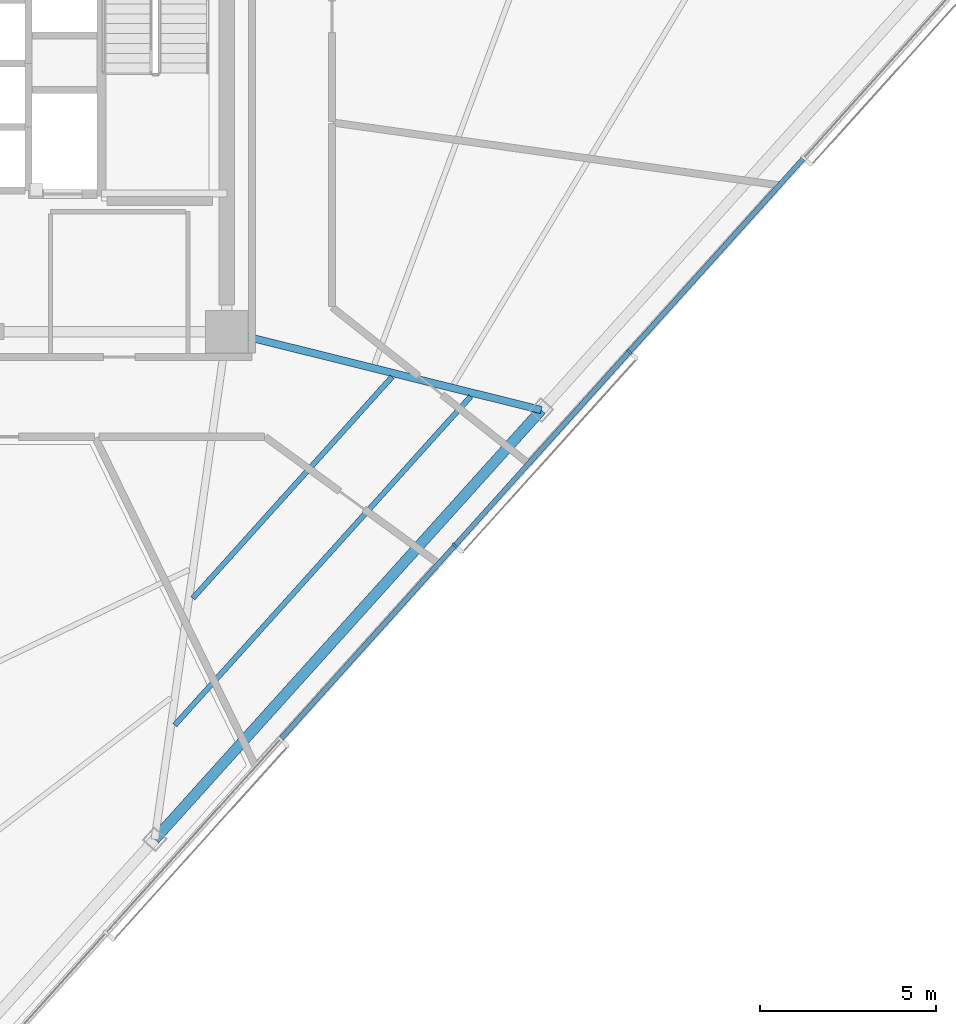
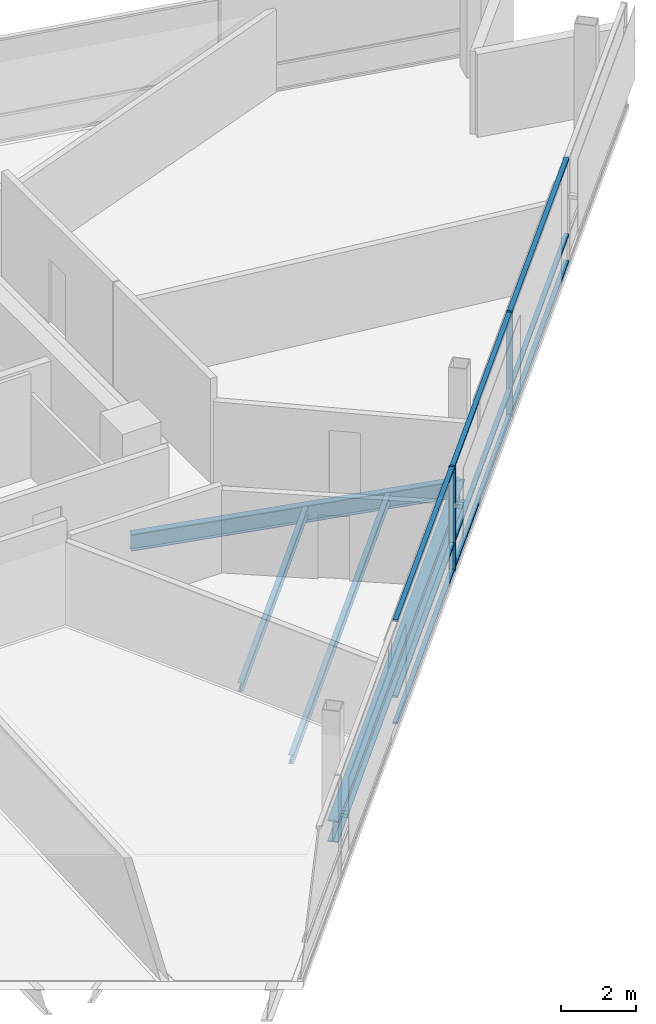
# One storey, part 4 of 17: 11 members, 4 beams, 1 element without a shape of its own.
"""IFC4 building model written with IfcOpenShell, lengths in metres."""

from ifc_helpers import new_model, si_unit, direction, frame, origin, origin_2d, place, context, subcontext, project, spatial, rectangle, i_section, extrude, material, layer, layer_set, material_profile, profile_set, type_object, element, aggregate, save


model = new_model("IFC4")

# Units and contexts
model_context = context("Model", 3, precision=1e-05, world=origin(), true_north=direction((0.0, 1.0)))
body_context = subcontext(model_context, "Body", "Model", "MODEL_VIEW")
ifc_project = project(units=[si_unit("LENGTHUNIT", "METRE"), si_unit("AREAUNIT", "SQUARE_METRE"), si_unit("VOLUMEUNIT", "CUBIC_METRE"), si_unit("PLANEANGLEUNIT", "RADIAN"), si_unit("MASSUNIT", "GRAM", prefix="KILO")], contexts=[model_context])

# Site, building, storey
site_placement = place(None, origin())
site = spatial("IfcSite", under=ifc_project, at=site_placement, CompositionType="ELEMENT")
building_placement = place(site_placement, origin())
building = spatial("IfcBuilding", under=site, at=building_placement, Name="Tharavind Bronze Gate", CompositionType="ELEMENT")
storey_placement = place(building_placement, frame((0.0, 0.0, 214.85009765625)))
storey = spatial("IfcBuildingStorey", under=building, at=storey_placement, Name="L55", CompositionType="ELEMENT", Elevation=214.85009765625)

# Curtain wall, members
ifc_material_1 = material(Name="Anodised Bronze Aluminium", Category="aluminium")
ifc_layer = layer(ifc_material_1, 0.219970703125)
ifc_layer_set = layer_set([ifc_layer], Name="Anodised Bronze Aluminium")
curtain_wall_type = type_object("IfcCurtainWallType", Name="UNITISED CURTAIN WALL MID OFFICE", PredefinedType="USERDEFINED", material=ifc_layer_set)
curtain_wall_placement = place(storey_placement, origin())
curtain_wall = element("IfcCurtainWall", 1, at=curtain_wall_placement, inside=storey, type_object=curtain_wall_type, Name="L55 unitised curtain wall mid office CW-L55-S2", ObjectType="UNITISED CURTAIN WALL", PredefinedType="USERDEFINED")
member_type_1 = type_object("IfcMemberType", Name="CURTAIN WALL BRONZE MULLION 65X180", PredefinedType="MULLION", material=ifc_material_1)
member_1_placement = place(storey_placement, frame((15.365966796875, -13.663818359375, 0.0), z_axis=(0.0, 0.0, 1.0), x_axis=(0.669130606359, 0.743144825477, 0.0)))
member_1 = element("IfcMember", 2, at=member_1_placement, type_object=member_type_1, Name="CW-L55-S2 mullion 5", PredefinedType="MULLION", context=body_context, shape_type="SweptSolid", body=[
    extrude(rectangle(XDim=0.06494140625, YDim=0.179931640625, at=origin_2d()), origin(), (0.0, 0.0, 1.0), 3.419921875),
])
member_2_placement = place(storey_placement, frame((20.310302734375, -8.17236328125, 0.0), z_axis=(0.0, 0.0, 1.0), x_axis=(0.669130606359, 0.743144825477, 0.0)))
member_2 = element("IfcMember", 3, at=member_2_placement, type_object=member_type_1, Name="CW-L55-S2 mullion 6", PredefinedType="MULLION", context=body_context, shape_type="SweptSolid", body=[
    extrude(rectangle(XDim=0.06494140625, YDim=0.179931640625, at=origin_2d()), origin(), (0.0, 0.0, 1.0), 3.419921875),
])
member_type_2 = type_object("IfcMemberType", Name="CURTAIN WALL BRONZE TRANSOM 65X140", PredefinedType="USERDEFINED", material=ifc_material_1)
member_3_placement = place(storey_placement, frame((12.8935546875, -16.409423828125, 0.0), z_axis=(0.0, 0.0, 1.0), x_axis=(0.669130606359, 0.743144825477, 0.0)))
member_3 = element("IfcMember", 4, at=member_3_placement, type_object=member_type_2, Name="CW-L55-S2 transom TB4", ObjectType="TRANSOM", PredefinedType="USERDEFINED", context=body_context, shape_type="SweptSolid", body=[
    extrude(rectangle(XDim=7.33642578125, YDim=0.139892578125, at=origin_2d()), origin(), (0.0, 0.0, 1.0), 0.06494140625),
])
member_4_placement = place(storey_placement, frame((12.8935546875, -16.409423828125, 0.867431640625), z_axis=(0.0, 0.0, 1.0), x_axis=(0.669130606359, 0.743144825477, 0.0)))
member_4 = element("IfcMember", 5, at=member_4_placement, type_object=member_type_2, Name="CW-L55-S2 transom TS4", ObjectType="TRANSOM", PredefinedType="USERDEFINED", context=body_context, shape_type="SweptSolid", body=[
    extrude(rectangle(XDim=7.33642578125, YDim=0.139892578125, at=origin_2d()), origin(), (0.0, 0.0, 1.0), 0.06494140625),
])
member_5_placement = place(storey_placement, frame((12.8935546875, -16.409423828125, 3.35498046875), z_axis=(0.0, 0.0, 1.0), x_axis=(0.669130606359, 0.743144825477, 0.0)))
member_5 = element("IfcMember", 6, at=member_5_placement, type_object=member_type_2, Name="CW-L55-S2 transom TT4", ObjectType="TRANSOM", PredefinedType="USERDEFINED", context=body_context, shape_type="SweptSolid", body=[
    extrude(rectangle(XDim=7.33642578125, YDim=0.139892578125, at=origin_2d()), origin(), (0.0, 0.0, 1.0), 0.06494140625),
])
member_6_placement = place(storey_placement, frame((17.838134765625, -10.91796875, 0.0), z_axis=(0.0, 0.0, 1.0), x_axis=(0.669130606359, 0.743144825477, 0.0)))
member_6 = element("IfcMember", 7, at=member_6_placement, type_object=member_type_2, Name="CW-L55-S2 transom TB5", ObjectType="TRANSOM", PredefinedType="USERDEFINED", context=body_context, shape_type="SweptSolid", body=[
    extrude(rectangle(XDim=7.33642578125, YDim=0.139892578125, at=origin_2d()), origin(), (0.0, 0.0, 1.0), 0.06494140625),
])
member_7_placement = place(storey_placement, frame((17.838134765625, -10.91796875, 0.867431640625), z_axis=(0.0, 0.0, 1.0), x_axis=(0.669130606359, 0.743144825477, 0.0)))
member_7 = element("IfcMember", 8, at=member_7_placement, type_object=member_type_2, Name="CW-L55-S2 transom TS5", ObjectType="TRANSOM", PredefinedType="USERDEFINED", context=body_context, shape_type="SweptSolid", body=[
    extrude(rectangle(XDim=7.33642578125, YDim=0.139892578125, at=origin_2d()), origin(), (0.0, 0.0, 1.0), 0.06494140625),
])
member_8_placement = place(storey_placement, frame((17.838134765625, -10.91796875, 3.35498046875), z_axis=(0.0, 0.0, 1.0), x_axis=(0.669130606359, 0.743144825477, 0.0)))
member_8 = element("IfcMember", 9, at=member_8_placement, type_object=member_type_2, Name="CW-L55-S2 transom TT5", ObjectType="TRANSOM", PredefinedType="USERDEFINED", context=body_context, shape_type="SweptSolid", body=[
    extrude(rectangle(XDim=7.33642578125, YDim=0.139892578125, at=origin_2d()), origin(), (0.0, 0.0, 1.0), 0.06494140625),
])
member_9_placement = place(storey_placement, frame((22.78271484375, -5.426513671875, 0.0), z_axis=(0.0, 0.0, 1.0), x_axis=(0.669130606359, 0.743144825477, 0.0)))
member_9 = element("IfcMember", 10, at=member_9_placement, type_object=member_type_2, Name="CW-L55-S2 transom TB6", ObjectType="TRANSOM", PredefinedType="USERDEFINED", context=body_context, shape_type="SweptSolid", body=[
    extrude(rectangle(XDim=7.33642578125, YDim=0.139892578125, at=origin_2d()), origin(), (0.0, 0.0, 1.0), 0.06494140625),
])
member_10_placement = place(storey_placement, frame((22.78271484375, -5.426513671875, 0.867431640625), z_axis=(0.0, 0.0, 1.0), x_axis=(0.669130606359, 0.743144825477, 0.0)))
member_10 = element("IfcMember", 11, at=member_10_placement, type_object=member_type_2, Name="CW-L55-S2 transom TS6", ObjectType="TRANSOM", PredefinedType="USERDEFINED", context=body_context, shape_type="SweptSolid", body=[
    extrude(rectangle(XDim=7.33642578125, YDim=0.139892578125, at=origin_2d()), origin(), (0.0, 0.0, 1.0), 0.06494140625),
])
member_11_placement = place(storey_placement, frame((22.78271484375, -5.426513671875, 3.35498046875), z_axis=(0.0, 0.0, 1.0), x_axis=(0.669130606359, 0.743144825477, 0.0)))
member_11 = element("IfcMember", 12, at=member_11_placement, type_object=member_type_2, Name="CW-L55-S2 transom TT6", ObjectType="TRANSOM", PredefinedType="USERDEFINED", context=body_context, shape_type="SweptSolid", body=[
    extrude(rectangle(XDim=7.33642578125, YDim=0.139892578125, at=origin_2d()), origin(), (0.0, 0.0, 1.0), 0.06494140625),
])
aggregate(curtain_wall, [member_1, member_2, member_3, member_4, member_5, member_6, member_7, member_8, member_9, member_10, member_11])

# Beams
ifc_material_2 = material(Name="Steel S355", Category="steel")
ifc_material_profile_1 = material_profile(ifc_material_2, i_section(OverallWidth=0.2099609375, OverallDepth=0.550048828125, WebThickness=0.010986328125, FlangeThickness=0.01708984375, at=origin_2d()), Name="IPE550")
ifc_profile_set_1 = profile_set([ifc_material_profile_1], Name="Steel S355")
beam_type_1 = type_object("IfcBeamType", Name="PRIMARY GIRDER IPE550", PredefinedType="USERDEFINED", material=ifc_profile_set_1)
beam_1_placement = place(storey_placement, frame((17.815185546875, -9.82275390625, -0.455078125), z_axis=(-0.970300158772, 0.241904117136, 0.0), x_axis=(-0.241904117136, -0.970300158772, 0.0)))
element("IfcBeam", 13, at=beam_1_placement, inside=storey, type_object=beam_type_1, Name="L55 primary girder ipe550 BM-L55-RAD07", ObjectType="GIRDER", PredefinedType="USERDEFINED", context=body_context, shape_type="SweptSolid", body=[
    extrude(i_section(OverallWidth=0.2099609375, OverallDepth=0.550048828125, WebThickness=0.010986328125, FlangeThickness=0.01708984375, at=origin_2d()), origin(), (0.0, 0.0, 1.0), 9.188232421875),
])
ifc_material_profile_2 = material_profile(ifc_material_2, i_section(OverallWidth=0.300048828125, OverallDepth=0.699951171875, WebThickness=0.01708984375, FlangeThickness=0.031982421875, at=origin_2d()), Name="HE700B")
ifc_profile_set_2 = profile_set([ifc_material_profile_2], Name="Steel S355")
beam_type_2 = type_object("IfcBeamType", Name="RING GIRDER HE700B", PredefinedType="USERDEFINED", material=ifc_profile_set_2)
beam_2_placement = place(storey_placement, frame((6.857421875, -21.992431640625, -0.530029296875), z_axis=(0.669135213786, 0.743140676906, 0.0), x_axis=(-0.743140676906, 0.669135213786, 0.0)))
element("IfcBeam", 14, at=beam_2_placement, inside=storey, type_object=beam_type_2, Name="L55 ring girder he700b BM-L55-PRG06", ObjectType="GIRDER", PredefinedType="USERDEFINED", context=body_context, shape_type="SweptSolid", body=[
    extrude(i_section(OverallWidth=0.300048828125, OverallDepth=0.699951171875, WebThickness=0.01708984375, FlangeThickness=0.031982421875, at=origin_2d()), origin(), (0.0, 0.0, 1.0), 16.3759765625),
])
ifc_material_profile_3 = material_profile(ifc_material_2, i_section(OverallWidth=0.14990234375, OverallDepth=0.300048828125, WebThickness=0.007080078125, FlangeThickness=0.0107421875, at=origin_2d()), Name="IPE300")
ifc_profile_set_3 = profile_set([ifc_material_profile_3], Name="Steel S355")
beam_type_3 = type_object("IfcBeamType", Name="SECONDARY FLOOR JOIST IPE300", PredefinedType="JOIST", material=ifc_profile_set_3)
beam_3_placement = place(storey_placement, frame((7.935791015625, -15.1572265625, -0.330078125), z_axis=(0.669138786469, 0.743137459991, 0.0), x_axis=(-0.743137459991, 0.669138786469, 0.0)))
element("IfcBeam", 15, at=beam_3_placement, inside=storey, type_object=beam_type_3, Name="L55 secondary floor joist ipe300 BM-L55-JSTA06", PredefinedType="JOIST", context=body_context, shape_type="SweptSolid", body=[
    extrude(i_section(OverallWidth=0.14990234375, OverallDepth=0.300048828125, WebThickness=0.007080078125, FlangeThickness=0.0107421875, at=origin_2d()), origin(), (0.0, 0.0, 1.0), 8.446044921875),
])
beam_4_placement = place(storey_placement, frame((7.425048828125, -18.75537109375, -0.330078125), z_axis=(0.669137887746, 0.743138269222, 0.0), x_axis=(-0.743138269222, 0.669137887746, 0.0)))
element("IfcBeam", 16, at=beam_4_placement, inside=storey, type_object=beam_type_3, Name="L55 secondary floor joist ipe300 BM-L55-JSTB06", PredefinedType="JOIST", context=body_context, shape_type="SweptSolid", body=[
    extrude(i_section(OverallWidth=0.14990234375, OverallDepth=0.300048828125, WebThickness=0.007080078125, FlangeThickness=0.0107421875, at=origin_2d()), origin(), (0.0, 0.0, 1.0), 12.540283203125),
])

save(model, "model.ifc")
